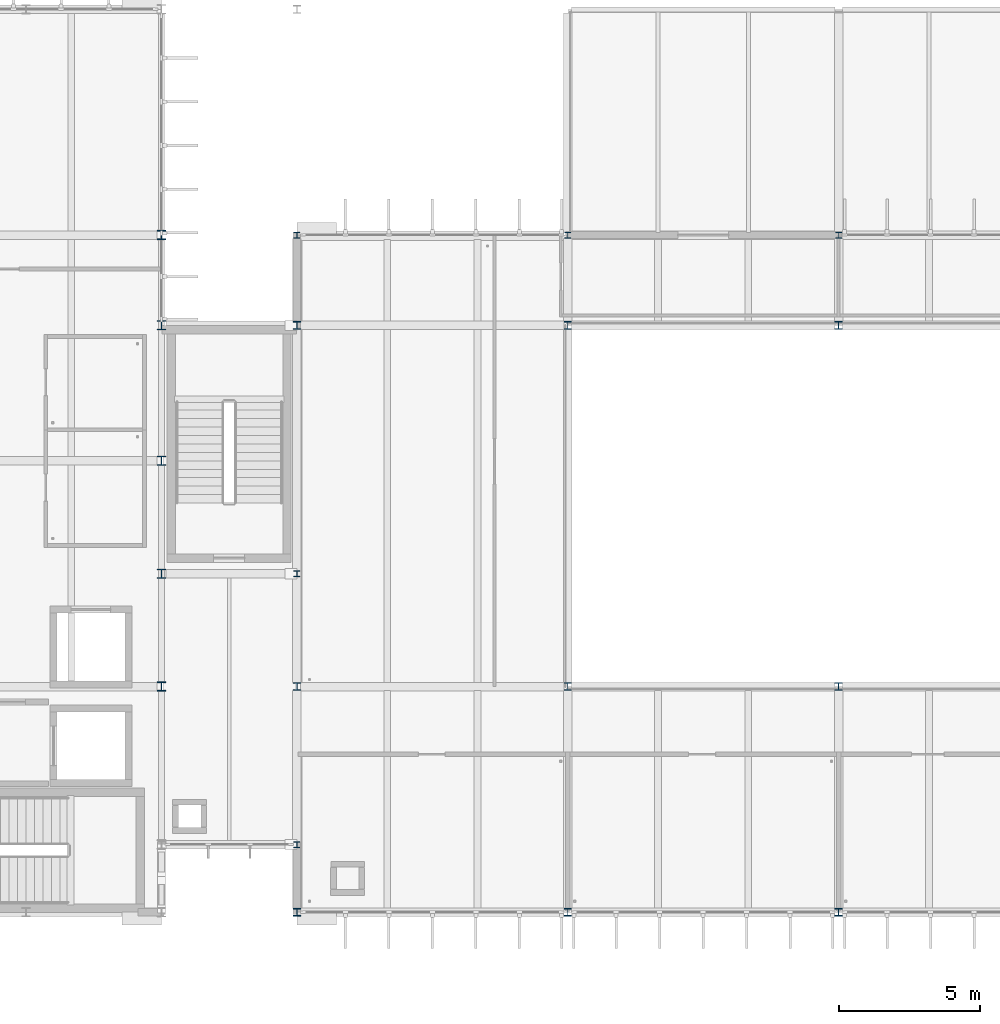
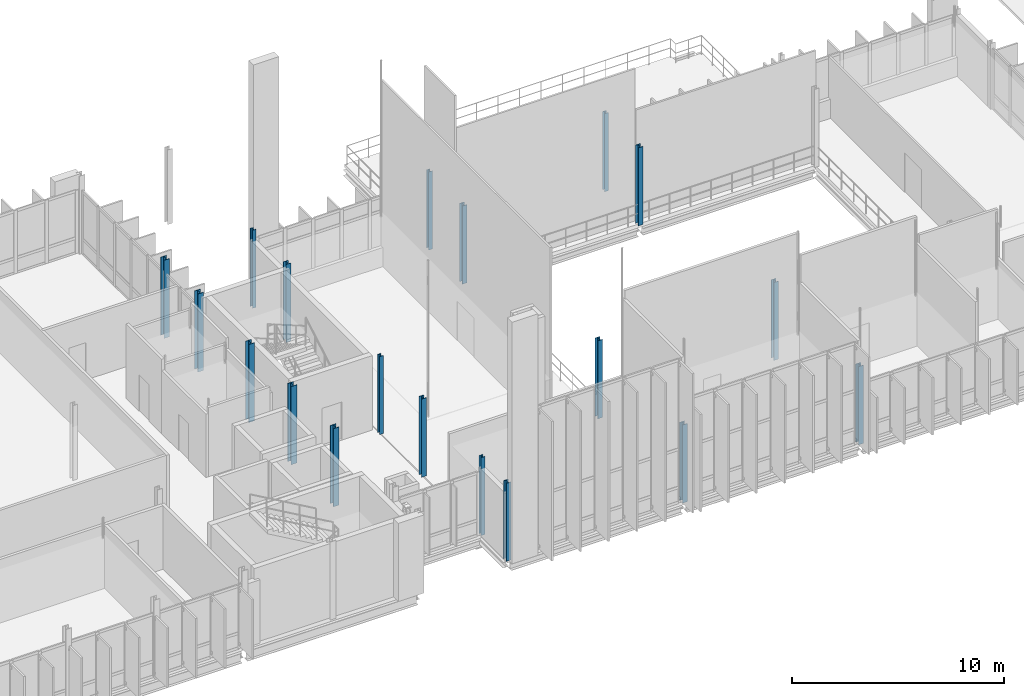
# One storey, part 2 of 41: 19 columns.
"""IFC4 building model written with IfcOpenShell, lengths in metres."""

from ifc_helpers import new_model, si_unit, direction, frame, origin, origin_2d, place, context, subcontext, project, spatial, i_section, extrude, material, material_profile, profile_set, type_object, element, save


model = new_model("IFC4")

# Units and contexts
model_context = context("Model", 3, precision=1e-05, world=origin(), true_north=direction((0.0, 1.0)))
body_context = subcontext(model_context, "Body", "Model", "MODEL_VIEW")
ifc_project = project(units=[si_unit("LENGTHUNIT", "METRE"), si_unit("AREAUNIT", "SQUARE_METRE"), si_unit("VOLUMEUNIT", "CUBIC_METRE"), si_unit("PLANEANGLEUNIT", "RADIAN"), si_unit("MASSUNIT", "GRAM", prefix="KILO")], contexts=[model_context])

# Site, building, storey
site_placement = place(None, origin())
site = spatial("IfcSite", under=ifc_project, at=site_placement, CompositionType="ELEMENT")
building_placement = place(site_placement, origin())
building = spatial("IfcBuilding", under=site, at=building_placement, Name="Dunescarp Central Library", CompositionType="ELEMENT")
storey_placement = place(building_placement, frame((0.0, 0.0, 23.10009765625)))
storey = spatial("IfcBuildingStorey", under=building, at=storey_placement, Name="L05", CompositionType="ELEMENT", Elevation=23.10009765625)

# Columns
ifc_material = material(Name="Steel S355JR", Category="steel")
ifc_material_profile_1 = material_profile(ifc_material, i_section(OverallWidth=0.206298828125, OverallDepth=0.2158203125, WebThickness=0.010009765625, FlangeThickness=0.017333984375, at=origin_2d()), Name="UC 203x203x71")
ifc_profile_set_1 = profile_set([ifc_material_profile_1], Name="Steel S355JR")
column_type_1 = type_object("IfcColumnType", Name="STR-COL-UC203X71", PredefinedType="COLUMN", material=ifc_profile_set_1)
for number, where, z_axis, x_axis, name in (
    (1, (38.39990234375, 28.800048828125, 0.0), (0.0, 0.0, 1.0), (1.0, 0.0, 0.0), "L05 column V2N5-384"),
    (2, (48.0, 28.800048828125, 0.0), (0.0, 0.0, 1.0), (1.0, 0.0, 0.0), "L05 column V2N5-480"),
    (3, (57.60009765625, 28.800048828125, 0.0), (0.0, 0.0, 1.0), (1.0, 0.0, 0.0), "L05 column V2N5-576"),
    (4, (38.39990234375, 7.199951171875, 0.0), (0.0, 0.0, 1.0), (1.0, 0.0, 0.0), "L05 column V2L-384-72"),
    (5, (38.39990234375, 16.800048828125, 0.0), (0.0, 0.0, 1.0), (1.0, 0.0, 0.0), "L05 column V2L-384-168"),
):
    element("IfcColumn", number, at=place(storey_placement, frame(where, z_axis=z_axis, x_axis=x_axis)), inside=storey, type_object=column_type_1, Name=name, PredefinedType="COLUMN", context=body_context, shape_type="SweptSolid", body=[
        extrude(i_section(OverallWidth=0.206298828125, OverallDepth=0.2158203125, WebThickness=0.010009765625, FlangeThickness=0.017333984375, at=origin_2d()), origin(), (0.0, 0.0, 1.0), 4.5),
    ])
ifc_material_profile_2 = material_profile(ifc_material, i_section(OverallWidth=0.26123046875, OverallDepth=0.2763671875, WebThickness=0.015380859375, FlangeThickness=0.025390625, at=origin_2d()), Name="UC 254x254x132")
ifc_profile_set_2 = profile_set([ifc_material_profile_2], Name="Steel S355JR")
column_type_2 = type_object("IfcColumnType", Name="STR-COL-UC254X132", PredefinedType="COLUMN", material=ifc_profile_set_2)
for number, where, z_axis, x_axis, name in (
    (6, (38.39990234375, 4.800048828125, 0.0), (0.0, 0.0, 1.0), (1.0, 0.0, 0.0), "L05 column V2-384-48"),
    (7, (38.39990234375, 12.800048828125, 0.0), (0.0, 0.0, 1.0), (1.0, 0.0, 0.0), "L05 column V2-384-128"),
    (8, (38.39990234375, 25.60009765625, 0.0), (0.0, 0.0, 1.0), (1.0, 0.0, 0.0), "L05 column V2-384-256"),
    (9, (48.0, 4.800048828125, 0.0), (0.0, 0.0, 1.0), (1.0, 0.0, 0.0), "L05 column V2-480-48"),
    (10, (48.0, 12.800048828125, 0.0), (0.0, 0.0, 1.0), (1.0, 0.0, 0.0), "L05 column V2-480-128"),
    (11, (48.0, 25.60009765625, 0.0), (0.0, 0.0, 1.0), (1.0, 0.0, 0.0), "L05 column V2-480-256"),
    (12, (57.60009765625, 4.800048828125, 0.0), (0.0, 0.0, 1.0), (1.0, 0.0, 0.0), "L05 column V2-576-48"),
    (13, (57.60009765625, 12.800048828125, 0.0), (0.0, 0.0, 1.0), (1.0, 0.0, 0.0), "L05 column V2-576-128"),
    (14, (57.60009765625, 25.60009765625, 0.0), (0.0, 0.0, 1.0), (1.0, 0.0, 0.0), "L05 column V2-576-256"),
):
    element("IfcColumn", number, at=place(storey_placement, frame(where, z_axis=z_axis, x_axis=x_axis)), inside=storey, type_object=column_type_2, Name=name, PredefinedType="COLUMN", context=body_context, shape_type="SweptSolid", body=[
        extrude(i_section(OverallWidth=0.26123046875, OverallDepth=0.2763671875, WebThickness=0.015380859375, FlangeThickness=0.025390625, at=origin_2d()), origin(), (0.0, 0.0, 1.0), 4.5),
    ])
ifc_material_profile_3 = material_profile(ifc_material, i_section(OverallWidth=0.311279296875, OverallDepth=0.3271484375, WebThickness=0.015869140625, FlangeThickness=0.02490234375, at=origin_2d()), Name="UC 305x305x158")
ifc_profile_set_3 = profile_set([ifc_material_profile_3], Name="Steel S355JR")
column_type_3 = type_object("IfcColumnType", Name="STR-COL-UC305X158", PredefinedType="COLUMN", material=ifc_profile_set_3)
for number, where, z_axis, x_axis, name in (
    (15, (33.60009765625, 12.800048828125, 0.0), (0.0, 0.0, 1.0), (1.0, 0.0, 0.0), "L05 column V1P-336-128"),
    (16, (33.60009765625, 16.800048828125, 0.0), (0.0, 0.0, 1.0), (1.0, 0.0, 0.0), "L05 column V1P-336-168"),
    (17, (33.60009765625, 20.800048828125, 0.0), (0.0, 0.0, 1.0), (1.0, 0.0, 0.0), "L05 column V1P-336-208"),
    (18, (33.60009765625, 25.60009765625, 0.0), (0.0, 0.0, 1.0), (1.0, 0.0, 0.0), "L05 column V1P-336-256"),
    (19, (33.60009765625, 28.800048828125, 0.0), (0.0, 0.0, 1.0), (1.0, 0.0, 0.0), "L05 column V1P-336-288"),
):
    element("IfcColumn", number, at=place(storey_placement, frame(where, z_axis=z_axis, x_axis=x_axis)), inside=storey, type_object=column_type_3, Name=name, PredefinedType="COLUMN", context=body_context, shape_type="SweptSolid", body=[
        extrude(i_section(OverallWidth=0.311279296875, OverallDepth=0.3271484375, WebThickness=0.015869140625, FlangeThickness=0.02490234375, at=origin_2d()), origin(), (0.0, 0.0, 1.0), 4.5),
    ])

save(model, "model.ifc")
